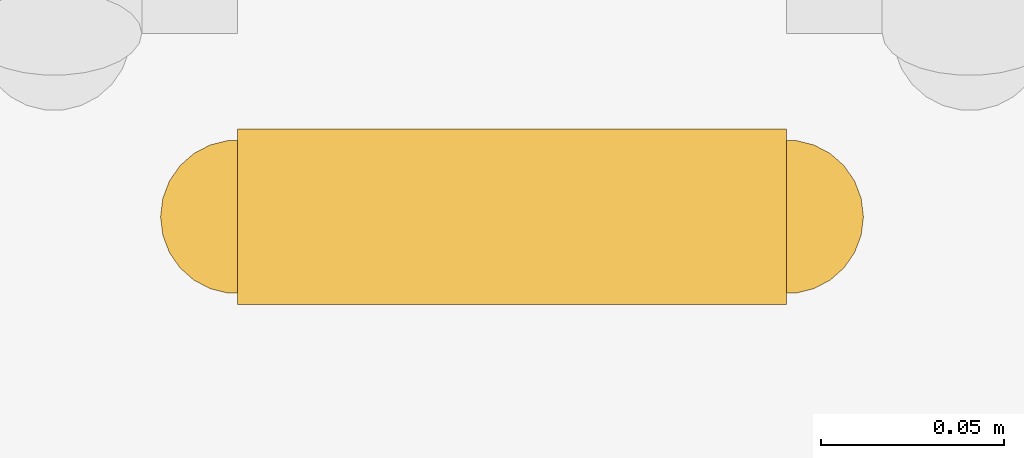
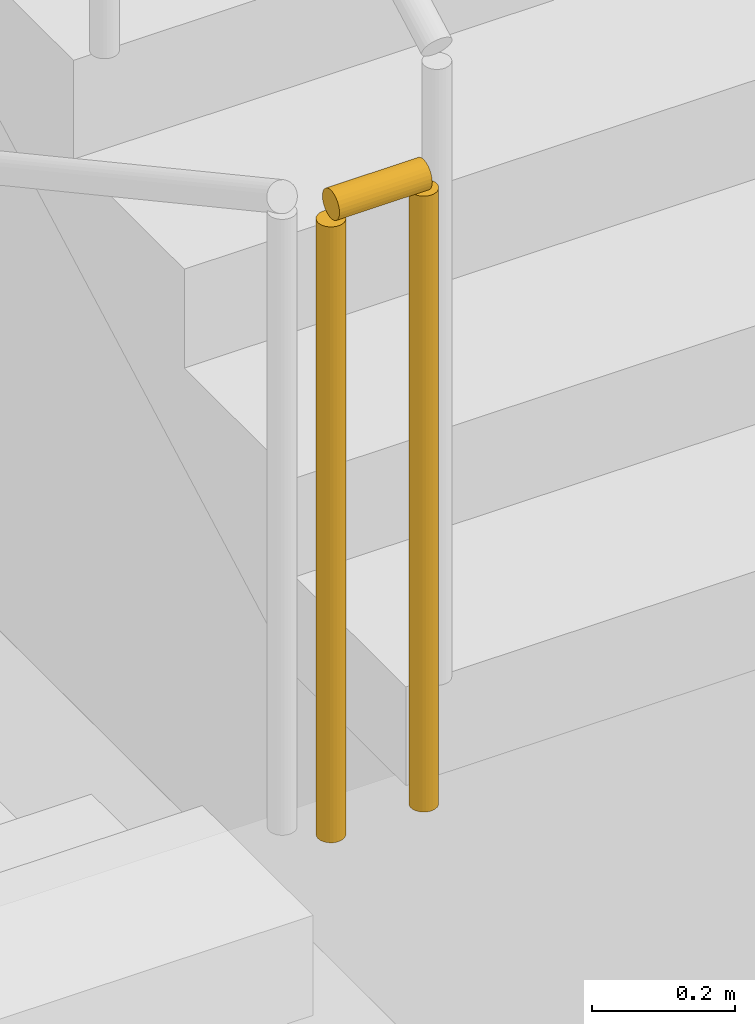
# One storey, part 28 of 30: 1 railing.
"""IFC4 building model written with IfcOpenShell, lengths in metres."""

import ifcopenshell
import ifcopenshell.guid

model = None  # the IFC model being written
_history = None  # IfcOwnerHistory: only IFC2X3 demands one
_inside = {}  # id of a spatial element -> (the spatial element, [elements in it])
_under = {}  # id of a project, library or spatial element -> (it, [spatial elements below it])
_declared = {}  # id of a project -> (the project, [libraries it declares])
_typed = {}  # id of a type object -> (the type object, [elements of that type])
_made_of = {}  # id of a material, layer set ... -> (it, [elements and type objects made of it])


def new_model(schema):
    """Start an empty IFC model of exactly this schema.

    Asked for "IFC4X3", IfcOpenShell would pick the latest addendum, in which some entities
    have other attributes; the version numbers below select the first issue.
    IFC2X3 requires an IfcOwnerHistory on every rooted entity: one is made here for all.
    """
    global model, _history
    if schema == "IFC4X3":
        model = ifcopenshell.file(schema_version=(4, 3, 0, 0))
    else:
        model = ifcopenshell.file(schema=schema)
    _inside.clear()
    _under.clear()
    _declared.clear()
    _typed.clear()
    _made_of.clear()
    _history = None
    if model.schema == "IFC2X3":
        org = make("IfcOrganization", Name="unknown")
        user = make(
            "IfcPersonAndOrganization",
            ThePerson=make("IfcPerson", FamilyName="unknown"),
            TheOrganization=org,
        )
        app = make(
            "IfcApplication",
            ApplicationDeveloper=org,
            Version="unknown",
            ApplicationFullName="unknown",
            ApplicationIdentifier="unknown",
        )
        _history = make(
            "IfcOwnerHistory",
            OwningUser=user,
            OwningApplication=app,
            ChangeAction="ADDED",
            CreationDate=0,
        )
    return model


def make(cls, **values):
    """One entity of the class cls with the attributes given. An attribute that is None is left unset."""
    return model.create_entity(
        cls, **{name: value for name, value in values.items() if value is not None}
    )


def rooted(cls, **values):
    """An entity with a GlobalId (a new one), such as an element, a storey or a relation."""
    return make(cls, GlobalId=ifcopenshell.guid.new(), OwnerHistory=_history, **values)


def si_unit(unit_type, name, prefix=None):
    """IfcSIUnit, for example si_unit("LENGTHUNIT", "METRE", prefix="MILLI")."""
    return make("IfcSIUnit", UnitType=unit_type, Prefix=prefix, Name=name)


def assignment(units):
    """IfcUnitAssignment: the units of a project."""
    return None if units is None else make("IfcUnitAssignment", Units=units)


def point(xyz):
    """IfcCartesianPoint."""
    return None if xyz is None else make("IfcCartesianPoint", Coordinates=xyz)


def direction(xyz):
    """IfcDirection."""
    return None if xyz is None else make("IfcDirection", DirectionRatios=xyz)


def frame(location, z_axis=None, x_axis=None):
    """IfcAxis2Placement3D, a coordinate frame: its origin and axes. An axis left out is left unset."""
    return make(
        "IfcAxis2Placement3D",
        Location=point(location),
        Axis=direction(z_axis),
        RefDirection=direction(x_axis),
    )


def frame_2d(location, x_axis=None):
    """IfcAxis2Placement2D, a coordinate frame in the plane: its origin and x axis."""
    return make(
        "IfcAxis2Placement2D", Location=point(location), RefDirection=direction(x_axis)
    )


def origin():
    """The frame at (0, 0, 0) with its axes left unset."""
    return frame((0.0, 0.0, 0.0))


def origin_2d():
    """The frame at (0, 0) in the plane with its x axis left unset."""
    return frame_2d((0.0, 0.0))


def place(relative_to, where):
    """IfcLocalPlacement: puts the frame where relative to a parent placement (None: the world)."""
    return make(
        "IfcLocalPlacement", PlacementRelTo=relative_to, RelativePlacement=where
    )


def context(
    kind, dimensions, precision=None, world=None, true_north=None, identifier=None
):
    """IfcGeometricRepresentationContext, for example the 3D "Model" context."""
    return make(
        "IfcGeometricRepresentationContext",
        ContextIdentifier=identifier,
        ContextType=kind,
        CoordinateSpaceDimension=dimensions,
        Precision=precision,
        WorldCoordinateSystem=world,
        TrueNorth=true_north,
    )


def subcontext(parent, identifier, kind, view, scale=None):
    """IfcGeometricRepresentationSubContext, for example "Body" below "Model"."""
    return make(
        "IfcGeometricRepresentationSubContext",
        ContextIdentifier=identifier,
        ContextType=kind,
        ParentContext=parent,
        TargetScale=scale,
        TargetView=view,
    )


def project(units=None, contexts=None):
    """IfcProject with its units and contexts."""
    return rooted(
        "IfcProject",
        Name="project",
        RepresentationContexts=contexts,
        UnitsInContext=assignment(units),
    )


def spatial(cls, under=None, at=None, **own):
    """A site, building, storey or space (cls), placed at a placement, below another one or the project."""
    s = rooted(cls, ObjectPlacement=at, **own)
    if under is not None:
        _under.setdefault(under.id(), (under, []))[1].append(s)
    return s


def profile(cls, at=None, kind="AREA", **sizes):
    """A parametric profile (cls). Its sizes go by their IFC names, for example OverallWidth=200.0."""
    return make(cls, ProfileType=kind, Position=at, **sizes)


def circle(**sizes):
    """IfcCircleProfileDef."""
    return profile("IfcCircleProfileDef", **sizes)


def extrude(swept, where, along, depth):
    """IfcExtrudedAreaSolid: the profile swept, set in the frame where, extruded along a direction by depth."""
    return make(
        "IfcExtrudedAreaSolid",
        SweptArea=swept,
        Position=where,
        ExtrudedDirection=direction(along),
        Depth=depth,
    )


def shape(context_of_items, identifier, shape_type, items):
    """IfcShapeRepresentation: the items that make up one representation, for example the "Body"."""
    return make(
        "IfcShapeRepresentation",
        ContextOfItems=context_of_items,
        RepresentationIdentifier=identifier,
        RepresentationType=shape_type,
        Items=items,
    )


def material(Name=None, Category=None):
    """IfcMaterial."""
    return make("IfcMaterial", Name=Name, Category=Category)


def made_of(thing, what):
    """Note that an element or type object is made of a material, layer set ...; save() writes the relation."""
    if what is not None:
        _made_of.setdefault(what.id(), (what, []))[1].append(thing)
    return thing


def type_object(cls, material=None, **own):
    """A type object (cls), such as IfcWallType, which elements share."""
    return made_of(rooted(cls, **own), material)


def element(
    cls,
    number,
    at=None,
    inside=None,
    cuts=None,
    type_object=None,
    material=None,
    context=None,
    identifier="Body",
    shape_type=None,
    held_by="IfcProductDefinitionShape",
    body=None,
    shapes=None,
    **own,
):
    """One element of the class cls, such as IfcWall. Its Tag is "e" and its number.

    at: its placement. inside: the storey or other place that contains it. cuts: it is an
    opening in that element (IfcRelVoidsElement). A single representation is given by context,
    identifier, shape_type and body (its items); several are given by shapes. held_by: the class
    of the entity that holds the representations. save() writes the other relations.
    """
    e = rooted(cls, Tag="e%d" % number, ObjectPlacement=at, **own)
    if body is not None:
        shapes = [shape(context, identifier, shape_type, body)]
    if shapes is not None:
        e.Representation = make(held_by, Representations=shapes)
    if inside is not None:
        _inside.setdefault(inside.id(), (inside, []))[1].append(e)
    if cuts is not None:
        rooted(
            "IfcRelVoidsElement", RelatingBuildingElement=cuts, RelatedOpeningElement=e
        )
    if type_object is not None:
        _typed.setdefault(type_object.id(), (type_object, []))[1].append(e)
    return made_of(e, material)


def aggregate(whole, parts):
    """IfcRelAggregates: a whole, such as a stair, and the parts it consists of."""
    return rooted("IfcRelAggregates", RelatingObject=whole, RelatedObjects=parts)


def save(model, path):
    """Write the relations noted so far, then the file.

    IfcRelAggregates (storeys below a building ...), IfcRelContainedInSpatialStructure (elements
    in a storey), IfcRelDefinesByType, IfcRelAssociatesMaterial and IfcRelDeclares: one each for
    every whole, place, type object, material and project.
    """
    for whole, parts in _under.values():
        aggregate(whole, parts)
    for where, things in _inside.values():
        rooted(
            "IfcRelContainedInSpatialStructure",
            RelatedElements=things,
            RelatingStructure=where,
        )
    for kind, things in _typed.values():
        rooted("IfcRelDefinesByType", RelatedObjects=things, RelatingType=kind)
    for what, things in _made_of.values():
        rooted("IfcRelAssociatesMaterial", RelatedObjects=things, RelatingMaterial=what)
    for by, libraries in _declared.values():
        rooted("IfcRelDeclares", RelatingContext=by, RelatedDefinitions=libraries)
    model.write(path)


model = new_model("IFC4")

# Units and contexts
model_context = context("Model", 3, precision=1e-05, world=origin(), true_north=direction((0.0, 1.0)))
body_context = subcontext(model_context, "Body", "Model", "MODEL_VIEW")
ifc_project = project(units=[si_unit("LENGTHUNIT", "METRE"), si_unit("AREAUNIT", "SQUARE_METRE"), si_unit("VOLUMEUNIT", "CUBIC_METRE"), si_unit("PLANEANGLEUNIT", "RADIAN"), si_unit("MASSUNIT", "GRAM", prefix="KILO")], contexts=[model_context])

# Site, building, storey
site_placement = place(None, origin())
site = spatial("IfcSite", under=ifc_project, at=site_placement, CompositionType="ELEMENT")
building_placement = place(site_placement, origin())
building = spatial("IfcBuilding", under=site, at=building_placement, Name="Madar Terraces", CompositionType="ELEMENT")
storey_placement = place(building_placement, frame((0.0, 0.0, 53.89990234375)))
storey = spatial("IfcBuildingStorey", under=building, at=storey_placement, Name="L13", CompositionType="ELEMENT", Elevation=53.89990234375)

# Railing
ifc_material = material(Name="Stainless steel railing", Category="steel")
railing_type = type_object("IfcRailingType", Name="Stair guard 1100", PredefinedType="GUARDRAIL", material=ifc_material)
railing_placement = place(storey_placement, frame((41.25, 30.5, 2.7001953125)))
element("IfcRailing", 1, at=railing_placement, inside=storey, type_object=railing_type, Name="L13 ST2 stair guard 2", PredefinedType="GUARDRAIL", context=body_context, shape_type="SweptSolid", body=[
    extrude(circle(Radius=0.02392578125, at=origin_2d()), frame((0.0, 0.0, 1.076171875), z_axis=(1.0, 0.0, 0.0), x_axis=(0.0, 1.0, 0.0)), (0.0, 0.0, 1.0), 0.14990234375),
    extrude(circle(Radius=0.02099609375, at=origin_2d()), origin(), (0.0, 0.0, 1.0), 1.052001953125),
    extrude(circle(Radius=0.02099609375, at=origin_2d()), frame((0.14990234375, 0.0, 0.0)), (0.0, 0.0, 1.0), 1.052001953125),
])

save(model, "model.ifc")
